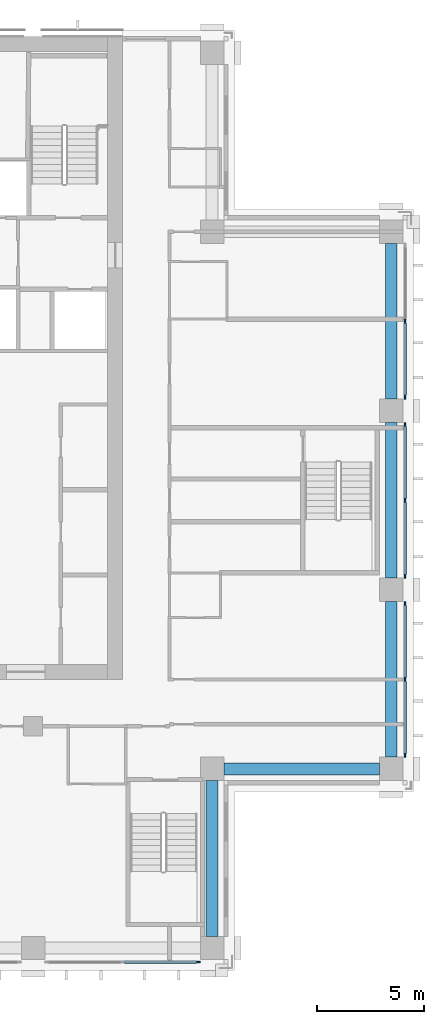
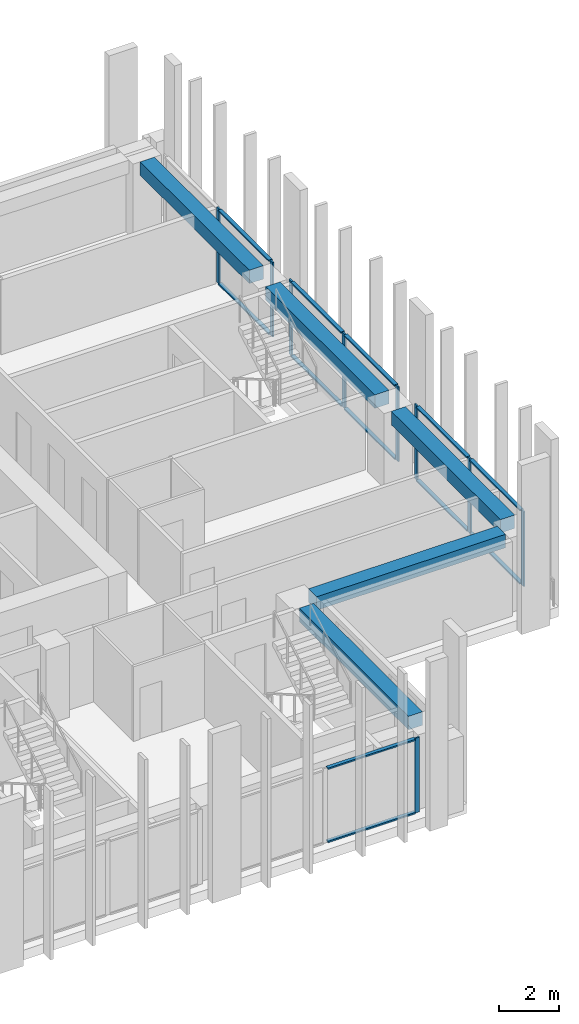
# One storey, part 5 of 16: 21 members, 5 beams, 4 elements without a shape of their own.
"""IFC4 building model written with IfcOpenShell, lengths in metres."""

import ifcopenshell
import ifcopenshell.guid

model = None  # the IFC model being written
_history = None  # IfcOwnerHistory: only IFC2X3 demands one
_inside = {}  # id of a spatial element -> (the spatial element, [elements in it])
_under = {}  # id of a project, library or spatial element -> (it, [spatial elements below it])
_declared = {}  # id of a project -> (the project, [libraries it declares])
_typed = {}  # id of a type object -> (the type object, [elements of that type])
_made_of = {}  # id of a material, layer set ... -> (it, [elements and type objects made of it])


def new_model(schema):
    """Start an empty IFC model of exactly this schema.

    Asked for "IFC4X3", IfcOpenShell would pick the latest addendum, in which some entities
    have other attributes; the version numbers below select the first issue.
    IFC2X3 requires an IfcOwnerHistory on every rooted entity: one is made here for all.
    """
    global model, _history
    if schema == "IFC4X3":
        model = ifcopenshell.file(schema_version=(4, 3, 0, 0))
    else:
        model = ifcopenshell.file(schema=schema)
    _inside.clear()
    _under.clear()
    _declared.clear()
    _typed.clear()
    _made_of.clear()
    _history = None
    if model.schema == "IFC2X3":
        org = make("IfcOrganization", Name="unknown")
        user = make(
            "IfcPersonAndOrganization",
            ThePerson=make("IfcPerson", FamilyName="unknown"),
            TheOrganization=org,
        )
        app = make(
            "IfcApplication",
            ApplicationDeveloper=org,
            Version="unknown",
            ApplicationFullName="unknown",
            ApplicationIdentifier="unknown",
        )
        _history = make(
            "IfcOwnerHistory",
            OwningUser=user,
            OwningApplication=app,
            ChangeAction="ADDED",
            CreationDate=0,
        )
    return model


def make(cls, **values):
    """One entity of the class cls with the attributes given. An attribute that is None is left unset."""
    return model.create_entity(
        cls, **{name: value for name, value in values.items() if value is not None}
    )


def rooted(cls, **values):
    """An entity with a GlobalId (a new one), such as an element, a storey or a relation."""
    return make(cls, GlobalId=ifcopenshell.guid.new(), OwnerHistory=_history, **values)


def si_unit(unit_type, name, prefix=None):
    """IfcSIUnit, for example si_unit("LENGTHUNIT", "METRE", prefix="MILLI")."""
    return make("IfcSIUnit", UnitType=unit_type, Prefix=prefix, Name=name)


def assignment(units):
    """IfcUnitAssignment: the units of a project."""
    return None if units is None else make("IfcUnitAssignment", Units=units)


def point(xyz):
    """IfcCartesianPoint."""
    return None if xyz is None else make("IfcCartesianPoint", Coordinates=xyz)


def direction(xyz):
    """IfcDirection."""
    return None if xyz is None else make("IfcDirection", DirectionRatios=xyz)


def frame(location, z_axis=None, x_axis=None):
    """IfcAxis2Placement3D, a coordinate frame: its origin and axes. An axis left out is left unset."""
    return make(
        "IfcAxis2Placement3D",
        Location=point(location),
        Axis=direction(z_axis),
        RefDirection=direction(x_axis),
    )


def frame_2d(location, x_axis=None):
    """IfcAxis2Placement2D, a coordinate frame in the plane: its origin and x axis."""
    return make(
        "IfcAxis2Placement2D", Location=point(location), RefDirection=direction(x_axis)
    )


def origin():
    """The frame at (0, 0, 0) with its axes left unset."""
    return frame((0.0, 0.0, 0.0))


def origin_2d():
    """The frame at (0, 0) in the plane with its x axis left unset."""
    return frame_2d((0.0, 0.0))


def place(relative_to, where):
    """IfcLocalPlacement: puts the frame where relative to a parent placement (None: the world)."""
    return make(
        "IfcLocalPlacement", PlacementRelTo=relative_to, RelativePlacement=where
    )


def context(
    kind, dimensions, precision=None, world=None, true_north=None, identifier=None
):
    """IfcGeometricRepresentationContext, for example the 3D "Model" context."""
    return make(
        "IfcGeometricRepresentationContext",
        ContextIdentifier=identifier,
        ContextType=kind,
        CoordinateSpaceDimension=dimensions,
        Precision=precision,
        WorldCoordinateSystem=world,
        TrueNorth=true_north,
    )


def subcontext(parent, identifier, kind, view, scale=None):
    """IfcGeometricRepresentationSubContext, for example "Body" below "Model"."""
    return make(
        "IfcGeometricRepresentationSubContext",
        ContextIdentifier=identifier,
        ContextType=kind,
        ParentContext=parent,
        TargetScale=scale,
        TargetView=view,
    )


def project(units=None, contexts=None):
    """IfcProject with its units and contexts."""
    return rooted(
        "IfcProject",
        Name="project",
        RepresentationContexts=contexts,
        UnitsInContext=assignment(units),
    )


def spatial(cls, under=None, at=None, **own):
    """A site, building, storey or space (cls), placed at a placement, below another one or the project."""
    s = rooted(cls, ObjectPlacement=at, **own)
    if under is not None:
        _under.setdefault(under.id(), (under, []))[1].append(s)
    return s


def profile(cls, at=None, kind="AREA", **sizes):
    """A parametric profile (cls). Its sizes go by their IFC names, for example OverallWidth=200.0."""
    return make(cls, ProfileType=kind, Position=at, **sizes)


def rectangle(**sizes):
    """IfcRectangleProfileDef."""
    return profile("IfcRectangleProfileDef", **sizes)


def extrude(swept, where, along, depth):
    """IfcExtrudedAreaSolid: the profile swept, set in the frame where, extruded along a direction by depth."""
    return make(
        "IfcExtrudedAreaSolid",
        SweptArea=swept,
        Position=where,
        ExtrudedDirection=direction(along),
        Depth=depth,
    )


def shape(context_of_items, identifier, shape_type, items):
    """IfcShapeRepresentation: the items that make up one representation, for example the "Body"."""
    return make(
        "IfcShapeRepresentation",
        ContextOfItems=context_of_items,
        RepresentationIdentifier=identifier,
        RepresentationType=shape_type,
        Items=items,
    )


def material(Name=None, Category=None):
    """IfcMaterial."""
    return make("IfcMaterial", Name=Name, Category=Category)


def material_profile(
    of_material, cross_section, Name=None, Category=None, Priority=None
):
    """IfcMaterialProfile: a cross section and its material."""
    return make(
        "IfcMaterialProfile",
        Name=Name,
        Material=of_material,
        Profile=cross_section,
        Priority=Priority,
        Category=Category,
    )


def profile_set(profiles, Name=None, composite=None):
    """IfcMaterialProfileSet."""
    return make(
        "IfcMaterialProfileSet",
        Name=Name,
        MaterialProfiles=profiles,
        CompositeProfile=composite,
    )


def made_of(thing, what):
    """Note that an element or type object is made of a material, layer set ...; save() writes the relation."""
    if what is not None:
        _made_of.setdefault(what.id(), (what, []))[1].append(thing)
    return thing


def type_object(cls, material=None, **own):
    """A type object (cls), such as IfcWallType, which elements share."""
    return made_of(rooted(cls, **own), material)


def element(
    cls,
    number,
    at=None,
    inside=None,
    cuts=None,
    type_object=None,
    material=None,
    context=None,
    identifier="Body",
    shape_type=None,
    held_by="IfcProductDefinitionShape",
    body=None,
    shapes=None,
    **own,
):
    """One element of the class cls, such as IfcWall. Its Tag is "e" and its number.

    at: its placement. inside: the storey or other place that contains it. cuts: it is an
    opening in that element (IfcRelVoidsElement). A single representation is given by context,
    identifier, shape_type and body (its items); several are given by shapes. held_by: the class
    of the entity that holds the representations. save() writes the other relations.
    """
    e = rooted(cls, Tag="e%d" % number, ObjectPlacement=at, **own)
    if body is not None:
        shapes = [shape(context, identifier, shape_type, body)]
    if shapes is not None:
        e.Representation = make(held_by, Representations=shapes)
    if inside is not None:
        _inside.setdefault(inside.id(), (inside, []))[1].append(e)
    if cuts is not None:
        rooted(
            "IfcRelVoidsElement", RelatingBuildingElement=cuts, RelatedOpeningElement=e
        )
    if type_object is not None:
        _typed.setdefault(type_object.id(), (type_object, []))[1].append(e)
    return made_of(e, material)


def aggregate(whole, parts):
    """IfcRelAggregates: a whole, such as a stair, and the parts it consists of."""
    return rooted("IfcRelAggregates", RelatingObject=whole, RelatedObjects=parts)


def save(model, path):
    """Write the relations noted so far, then the file.

    IfcRelAggregates (storeys below a building ...), IfcRelContainedInSpatialStructure (elements
    in a storey), IfcRelDefinesByType, IfcRelAssociatesMaterial and IfcRelDeclares: one each for
    every whole, place, type object, material and project.
    """
    for whole, parts in _under.values():
        aggregate(whole, parts)
    for where, things in _inside.values():
        rooted(
            "IfcRelContainedInSpatialStructure",
            RelatedElements=things,
            RelatingStructure=where,
        )
    for kind, things in _typed.values():
        rooted("IfcRelDefinesByType", RelatedObjects=things, RelatingType=kind)
    for what, things in _made_of.values():
        rooted("IfcRelAssociatesMaterial", RelatedObjects=things, RelatingMaterial=what)
    for by, libraries in _declared.values():
        rooted("IfcRelDeclares", RelatingContext=by, RelatedDefinitions=libraries)
    model.write(path)


model = new_model("IFC4")

# Units and contexts
model_context = context("Model", 3, precision=1e-05, world=origin(), true_north=direction((0.0, 1.0)))
body_context = subcontext(model_context, "Body", "Model", "MODEL_VIEW")
ifc_project = project(units=[si_unit("LENGTHUNIT", "METRE"), si_unit("AREAUNIT", "SQUARE_METRE"), si_unit("VOLUMEUNIT", "CUBIC_METRE"), si_unit("PLANEANGLEUNIT", "RADIAN"), si_unit("MASSUNIT", "GRAM", prefix="KILO")], contexts=[model_context])

# Site, building, storey
site_placement = place(None, origin())
site = spatial("IfcSite", under=ifc_project, at=site_placement, CompositionType="ELEMENT")
building_placement = place(site_placement, origin())
building = spatial("IfcBuilding", under=site, at=building_placement, Name="Vermilion Ogive Tower", CompositionType="ELEMENT")
storey_placement = place(building_placement, frame((0.0, 0.0, 150.35009765625)))
storey = spatial("IfcBuildingStorey", under=building, at=storey_placement, Name="L38", CompositionType="ELEMENT", Elevation=150.35009765625)

# Curtain wall, member
ifc_material_1 = material(Name="Low-iron laminated glazing in aluminium frame", Category="aluminium")
curtain_wall_type = type_object("IfcCurtainWallType", Name="Curtain wall CW7", PredefinedType="NOTDEFINED", material=ifc_material_1)
curtain_wall_1_placement = place(storey_placement, origin())
curtain_wall_1 = element("IfcCurtainWall", 1, at=curtain_wall_1_placement, inside=storey, type_object=curtain_wall_type, Name="Glazed skin S3", PredefinedType="NOTDEFINED")
ifc_material_2 = material(Name="Aluminium mullion", Category="aluminium")
ifc_material_profile_1 = material_profile(ifc_material_2, rectangle(XDim=0.06005859375, YDim=0.179931640625, at=origin_2d()), Name="AL 60x180")
ifc_profile_set_1 = profile_set([ifc_material_profile_1], Name="Aluminium mullion")
member_type_1 = type_object("IfcMemberType", Name="CW7 mullion 60x180", PredefinedType="MULLION", material=ifc_profile_set_1)
member_1_placement = place(storey_placement, frame((11.9599609375, -21.64990234375, 0.0), z_axis=(0.0, 0.0, 1.0), x_axis=(0.0, 1.0, 0.0)))
member_1 = element("IfcMember", 2, at=member_1_placement, type_object=member_type_1, Name="CW7-S3 mullion 3", PredefinedType="MULLION", context=body_context, shape_type="SweptSolid", body=[
    extrude(rectangle(XDim=0.06005859375, YDim=0.179931640625, at=origin_2d()), origin(), (0.0, 0.0, 1.0), 3.0498046875),
])

# Curtain wall, members
curtain_wall_2_placement = place(storey_placement, origin())
curtain_wall_2 = element("IfcCurtainWall", 3, at=curtain_wall_2_placement, inside=storey, type_object=curtain_wall_type, Name="Glazed skin E1", PredefinedType="NOTDEFINED")
member_2_placement = place(storey_placement, frame((21.64990234375, -11.9599609375, 0.0), z_axis=(0.0, 0.0, 1.0), x_axis=(-1.0, 0.0, 0.0)))
member_2 = element("IfcMember", 4, at=member_2_placement, type_object=member_type_1, Name="CW7-E1 mullion 1", PredefinedType="MULLION", context=body_context, shape_type="SweptSolid", body=[
    extrude(rectangle(XDim=0.06005859375, YDim=0.179931640625, at=origin_2d()), origin(), (0.0, 0.0, 1.0), 3.0498046875),
])
member_3_placement = place(storey_placement, frame((21.64990234375, -8.39990234375, 0.0), z_axis=(0.0, 0.0, 1.0), x_axis=(-1.0, 0.0, 0.0)))
member_3 = element("IfcMember", 5, at=member_3_placement, type_object=member_type_1, Name="CW7-E1 mullion 2", PredefinedType="MULLION", context=body_context, shape_type="SweptSolid", body=[
    extrude(rectangle(XDim=0.06005859375, YDim=0.179931640625, at=origin_2d()), origin(), (0.0, 0.0, 1.0), 3.0498046875),
])
member_4_placement = place(storey_placement, frame((21.64990234375, -4.840087890625, 0.0), z_axis=(0.0, 0.0, 1.0), x_axis=(-1.0, 0.0, 0.0)))
member_4 = element("IfcMember", 6, at=member_4_placement, type_object=member_type_1, Name="CW7-E1 mullion 3", PredefinedType="MULLION", context=body_context, shape_type="SweptSolid", body=[
    extrude(rectangle(XDim=0.06005859375, YDim=0.179931640625, at=origin_2d()), origin(), (0.0, 0.0, 1.0), 3.0498046875),
])

curtain_wall_3_placement = place(storey_placement, origin())
curtain_wall_3 = element("IfcCurtainWall", 7, at=curtain_wall_3_placement, inside=storey, type_object=curtain_wall_type, Name="Glazed skin E2", PredefinedType="NOTDEFINED")
member_5_placement = place(storey_placement, frame((21.64990234375, -3.56005859375, 0.0), z_axis=(0.0, 0.0, 1.0), x_axis=(-1.0, 0.0, 0.0)))
member_5 = element("IfcMember", 8, at=member_5_placement, type_object=member_type_1, Name="CW7-E2 mullion 1", PredefinedType="MULLION", context=body_context, shape_type="SweptSolid", body=[
    extrude(rectangle(XDim=0.06005859375, YDim=0.179931640625, at=origin_2d()), origin(), (0.0, 0.0, 1.0), 3.0498046875),
])
member_6_placement = place(storey_placement, frame((21.64990234375, 0.0, 0.0), z_axis=(0.0, 0.0, 1.0), x_axis=(-1.0, 0.0, 0.0)))
member_6 = element("IfcMember", 9, at=member_6_placement, type_object=member_type_1, Name="CW7-E2 mullion 2", PredefinedType="MULLION", context=body_context, shape_type="SweptSolid", body=[
    extrude(rectangle(XDim=0.06005859375, YDim=0.179931640625, at=origin_2d()), origin(), (0.0, 0.0, 1.0), 3.0498046875),
])
member_7_placement = place(storey_placement, frame((21.64990234375, 3.56005859375, 0.0), z_axis=(0.0, 0.0, 1.0), x_axis=(-1.0, 0.0, 0.0)))
member_7 = element("IfcMember", 10, at=member_7_placement, type_object=member_type_1, Name="CW7-E2 mullion 3", PredefinedType="MULLION", context=body_context, shape_type="SweptSolid", body=[
    extrude(rectangle(XDim=0.06005859375, YDim=0.179931640625, at=origin_2d()), origin(), (0.0, 0.0, 1.0), 3.0498046875),
])

curtain_wall_4_placement = place(storey_placement, origin())
curtain_wall_4 = element("IfcCurtainWall", 11, at=curtain_wall_4_placement, inside=storey, type_object=curtain_wall_type, Name="Glazed skin E3", PredefinedType="NOTDEFINED")
member_8_placement = place(storey_placement, frame((21.64990234375, 4.840087890625, 0.0), z_axis=(0.0, 0.0, 1.0), x_axis=(-1.0, 0.0, 0.0)))
member_8 = element("IfcMember", 12, at=member_8_placement, type_object=member_type_1, Name="CW7-E3 mullion 1", PredefinedType="MULLION", context=body_context, shape_type="SweptSolid", body=[
    extrude(rectangle(XDim=0.06005859375, YDim=0.179931640625, at=origin_2d()), origin(), (0.0, 0.0, 1.0), 3.0498046875),
])
member_9_placement = place(storey_placement, frame((21.64990234375, 8.39990234375, 0.0), z_axis=(0.0, 0.0, 1.0), x_axis=(-1.0, 0.0, 0.0)))
member_9 = element("IfcMember", 13, at=member_9_placement, type_object=member_type_1, Name="CW7-E3 mullion 2", PredefinedType="MULLION", context=body_context, shape_type="SweptSolid", body=[
    extrude(rectangle(XDim=0.06005859375, YDim=0.179931640625, at=origin_2d()), origin(), (0.0, 0.0, 1.0), 3.0498046875),
])

# Member
ifc_material_3 = material(Name="Aluminium transom", Category="aluminium")
ifc_material_profile_2 = material_profile(ifc_material_3, rectangle(XDim=0.139892578125, YDim=0.06005859375, at=origin_2d()), Name="AL 60x140")
ifc_profile_set_2 = profile_set([ifc_material_profile_2], Name="Aluminium transom")
member_type_2 = type_object("IfcMemberType", Name="CW7 transom 60x140", PredefinedType="USERDEFINED", material=ifc_profile_set_2)
member_10_placement = place(storey_placement, frame((8.489990234375, -21.64990234375, 0.02978515625), z_axis=(1.0, 0.0, 0.0), x_axis=(0.0, 1.0, 0.0)))
member_10 = element("IfcMember", 14, at=member_10_placement, type_object=member_type_2, Name="CW7-S3 transom 2.1", ObjectType="TRANSOM", PredefinedType="USERDEFINED", context=body_context, shape_type="SweptSolid", body=[
    extrude(rectangle(XDim=0.139892578125, YDim=0.06005859375, at=origin_2d()), origin(), (0.0, 0.0, 1.0), 3.380126953125),
])

member_11_placement = place(storey_placement, frame((8.489990234375, -21.64990234375, 3.02001953125), z_axis=(1.0, 0.0, 0.0), x_axis=(0.0, 1.0, 0.0)))
member_11 = element("IfcMember", 15, at=member_11_placement, type_object=member_type_2, Name="CW7-S3 transom 2.2", ObjectType="TRANSOM", PredefinedType="USERDEFINED", context=body_context, shape_type="SweptSolid", body=[
    extrude(rectangle(XDim=0.139892578125, YDim=0.06005859375, at=origin_2d()), origin(), (0.0, 0.0, 1.0), 3.380126953125),
])

aggregate(curtain_wall_1, [member_1, member_10, member_11])

member_12_placement = place(storey_placement, frame((21.64990234375, -11.8701171875, 0.02978515625), z_axis=(0.0, 1.0, 0.0), x_axis=(-1.0, 0.0, 0.0)))
member_12 = element("IfcMember", 16, at=member_12_placement, type_object=member_type_2, Name="CW7-E1 transom 1.1", ObjectType="TRANSOM", PredefinedType="USERDEFINED", context=body_context, shape_type="SweptSolid", body=[
    extrude(rectangle(XDim=0.139892578125, YDim=0.06005859375, at=origin_2d()), origin(), (0.0, 0.0, 1.0), 3.380126953125),
])

member_13_placement = place(storey_placement, frame((21.64990234375, -11.8701171875, 3.02001953125), z_axis=(0.0, 1.0, 0.0), x_axis=(-1.0, 0.0, 0.0)))
member_13 = element("IfcMember", 17, at=member_13_placement, type_object=member_type_2, Name="CW7-E1 transom 1.2", ObjectType="TRANSOM", PredefinedType="USERDEFINED", context=body_context, shape_type="SweptSolid", body=[
    extrude(rectangle(XDim=0.139892578125, YDim=0.06005859375, at=origin_2d()), origin(), (0.0, 0.0, 1.0), 3.380126953125),
])

member_14_placement = place(storey_placement, frame((21.64990234375, -8.31005859375, 0.02978515625), z_axis=(0.0, 1.0, 0.0), x_axis=(-1.0, 0.0, 0.0)))
member_14 = element("IfcMember", 18, at=member_14_placement, type_object=member_type_2, Name="CW7-E1 transom 2.1", ObjectType="TRANSOM", PredefinedType="USERDEFINED", context=body_context, shape_type="SweptSolid", body=[
    extrude(rectangle(XDim=0.139892578125, YDim=0.06005859375, at=origin_2d()), origin(), (0.0, 0.0, 1.0), 3.380126953125),
])

member_15_placement = place(storey_placement, frame((21.64990234375, -8.31005859375, 3.02001953125), z_axis=(0.0, 1.0, 0.0), x_axis=(-1.0, 0.0, 0.0)))
member_15 = element("IfcMember", 19, at=member_15_placement, type_object=member_type_2, Name="CW7-E1 transom 2.2", ObjectType="TRANSOM", PredefinedType="USERDEFINED", context=body_context, shape_type="SweptSolid", body=[
    extrude(rectangle(XDim=0.139892578125, YDim=0.06005859375, at=origin_2d()), origin(), (0.0, 0.0, 1.0), 3.380126953125),
])

aggregate(curtain_wall_2, [member_2, member_3, member_4, member_12, member_13, member_14, member_15])

member_16_placement = place(storey_placement, frame((21.64990234375, -3.469970703125, 0.02978515625), z_axis=(0.0, 1.0, 0.0), x_axis=(-1.0, 0.0, 0.0)))
member_16 = element("IfcMember", 20, at=member_16_placement, type_object=member_type_2, Name="CW7-E2 transom 1.1", ObjectType="TRANSOM", PredefinedType="USERDEFINED", context=body_context, shape_type="SweptSolid", body=[
    extrude(rectangle(XDim=0.139892578125, YDim=0.06005859375, at=origin_2d()), origin(), (0.0, 0.0, 1.0), 3.3798828125),
])

member_17_placement = place(storey_placement, frame((21.64990234375, -3.469970703125, 3.02001953125), z_axis=(0.0, 1.0, 0.0), x_axis=(-1.0, 0.0, 0.0)))
member_17 = element("IfcMember", 21, at=member_17_placement, type_object=member_type_2, Name="CW7-E2 transom 1.2", ObjectType="TRANSOM", PredefinedType="USERDEFINED", context=body_context, shape_type="SweptSolid", body=[
    extrude(rectangle(XDim=0.139892578125, YDim=0.06005859375, at=origin_2d()), origin(), (0.0, 0.0, 1.0), 3.3798828125),
])

member_18_placement = place(storey_placement, frame((21.64990234375, 0.090087890625, 0.02978515625), z_axis=(0.0, 1.0, 0.0), x_axis=(-1.0, 0.0, 0.0)))
member_18 = element("IfcMember", 22, at=member_18_placement, type_object=member_type_2, Name="CW7-E2 transom 2.1", ObjectType="TRANSOM", PredefinedType="USERDEFINED", context=body_context, shape_type="SweptSolid", body=[
    extrude(rectangle(XDim=0.139892578125, YDim=0.06005859375, at=origin_2d()), origin(), (0.0, 0.0, 1.0), 3.3798828125),
])

member_19_placement = place(storey_placement, frame((21.64990234375, 0.090087890625, 3.02001953125), z_axis=(0.0, 1.0, 0.0), x_axis=(-1.0, 0.0, 0.0)))
member_19 = element("IfcMember", 23, at=member_19_placement, type_object=member_type_2, Name="CW7-E2 transom 2.2", ObjectType="TRANSOM", PredefinedType="USERDEFINED", context=body_context, shape_type="SweptSolid", body=[
    extrude(rectangle(XDim=0.139892578125, YDim=0.06005859375, at=origin_2d()), origin(), (0.0, 0.0, 1.0), 3.3798828125),
])

aggregate(curtain_wall_3, [member_5, member_6, member_7, member_16, member_17, member_18, member_19])

member_20_placement = place(storey_placement, frame((21.64990234375, 4.929931640625, 0.02978515625), z_axis=(0.0, 1.0, 0.0), x_axis=(-1.0, 0.0, 0.0)))
member_20 = element("IfcMember", 24, at=member_20_placement, type_object=member_type_2, Name="CW7-E3 transom 1.1", ObjectType="TRANSOM", PredefinedType="USERDEFINED", context=body_context, shape_type="SweptSolid", body=[
    extrude(rectangle(XDim=0.139892578125, YDim=0.06005859375, at=origin_2d()), origin(), (0.0, 0.0, 1.0), 3.380126953125),
])

member_21_placement = place(storey_placement, frame((21.64990234375, 4.929931640625, 3.02001953125), z_axis=(0.0, 1.0, 0.0), x_axis=(-1.0, 0.0, 0.0)))
member_21 = element("IfcMember", 25, at=member_21_placement, type_object=member_type_2, Name="CW7-E3 transom 1.2", ObjectType="TRANSOM", PredefinedType="USERDEFINED", context=body_context, shape_type="SweptSolid", body=[
    extrude(rectangle(XDim=0.139892578125, YDim=0.06005859375, at=origin_2d()), origin(), (0.0, 0.0, 1.0), 3.380126953125),
])

aggregate(curtain_wall_4, [member_8, member_9, member_20, member_21])

# Beams
ifc_material_4 = material(Name="Concrete B45", Category="concrete")
ifc_material_profile_3 = material_profile(ifc_material_4, rectangle(XDim=0.550048828125, YDim=0.550048828125, at=origin_2d()), Name="550 x 550")
ifc_profile_set_3 = profile_set([ifc_material_profile_3], Name="Concrete B45")
beam_type = type_object("IfcBeamType", Name="Edge beam 550 x 550 B45", PredefinedType="BEAM", material=ifc_profile_set_3)
for number, where, z_axis, x_axis, name in (
    (26, (12.60009765625, -20.449951171875, 2.77490234375), (0.0, 1.0, 0.0), (-1.0, 0.0, 0.0), "L38-EB-4"),
    (27, (13.14990234375, -12.60009765625, 2.77490234375), (1.0, 0.0, 0.0), (0.0, 1.0, 0.0), "L38-EB-5"),
    (28, (21.0, -12.050048828125, 2.77490234375), (0.0, 1.0, 0.0), (-1.0, 0.0, 0.0), "L38-EB-6"),
):
    element("IfcBeam", number, at=place(storey_placement, frame(where, z_axis=z_axis, x_axis=x_axis)), inside=storey, type_object=beam_type, Name=name, PredefinedType="BEAM", context=body_context, shape_type="SweptSolid", body=[
        extrude(rectangle(XDim=0.550048828125, YDim=0.550048828125, at=origin_2d()), origin(), (0.0, 0.0, 1.0), 7.300048828125),
    ])
beam_1_placement = place(storey_placement, frame((21.0, -3.64990234375, 2.77490234375), z_axis=(0.0, 1.0, 0.0), x_axis=(-1.0, 0.0, 0.0)))
element("IfcBeam", 29, at=beam_1_placement, inside=storey, type_object=beam_type, Name="L38-EB-7", PredefinedType="BEAM", context=body_context, shape_type="SweptSolid", body=[
    extrude(rectangle(XDim=0.550048828125, YDim=0.550048828125, at=origin_2d()), origin(), (0.0, 0.0, 1.0), 7.2998046875),
])
beam_2_placement = place(storey_placement, frame((21.0, 4.75, 2.77490234375), z_axis=(0.0, 1.0, 0.0), x_axis=(-1.0, 0.0, 0.0)))
element("IfcBeam", 30, at=beam_2_placement, inside=storey, type_object=beam_type, Name="L38-EB-8", PredefinedType="BEAM", context=body_context, shape_type="SweptSolid", body=[
    extrude(rectangle(XDim=0.550048828125, YDim=0.550048828125, at=origin_2d()), origin(), (0.0, 0.0, 1.0), 7.300048828125),
])

save(model, "model.ifc")
